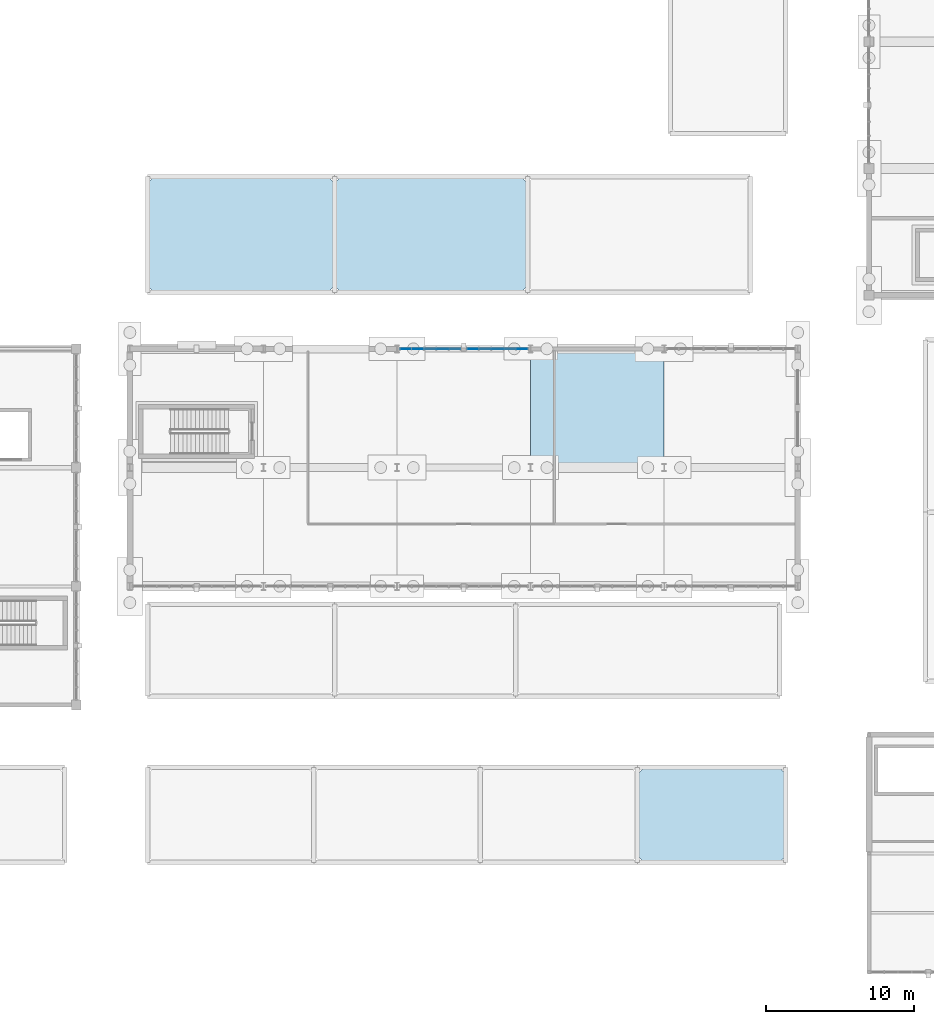
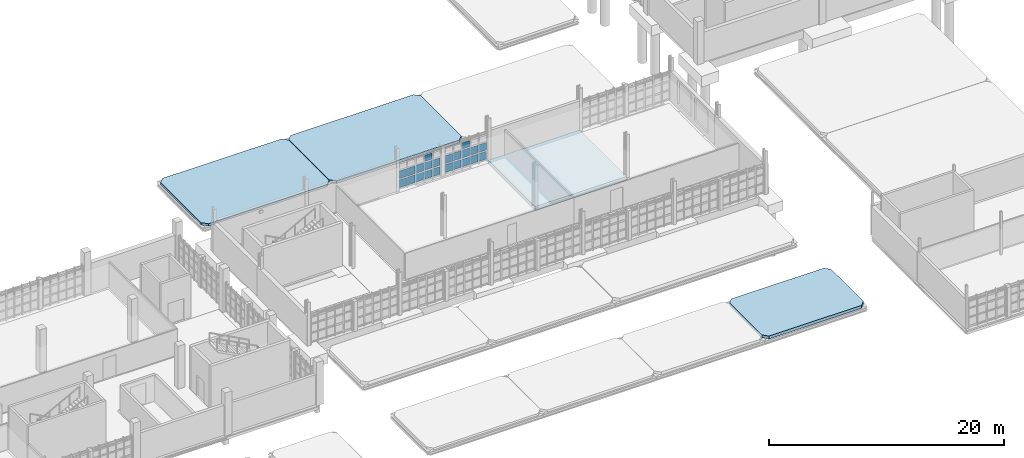
# One storey, part 87 of 125: 22 plates, 4 slabs, 2 elements without a shape of their own.
"""IFC4 building model written with IfcOpenShell, lengths in metres."""

from ifc_helpers import new_model, si_unit, direction, frame, origin, origin_2d, place, context, subcontext, project, spatial, polyline, rectangle, outline, extrude, material, layer, layer_set, type_object, element, aggregate, save


model = new_model("IFC4")

# Units and contexts
model_context = context("Model", 3, precision=1e-05, world=origin(), true_north=direction((0.0, 1.0)))
body_context = subcontext(model_context, "Body", "Model", "MODEL_VIEW")
ifc_project = project(units=[si_unit("LENGTHUNIT", "METRE"), si_unit("AREAUNIT", "SQUARE_METRE"), si_unit("VOLUMEUNIT", "CUBIC_METRE"), si_unit("PLANEANGLEUNIT", "RADIAN"), si_unit("MASSUNIT", "GRAM", prefix="KILO")], contexts=[model_context])

# Site, building, storey
site_placement = place(None, origin())
site = spatial("IfcSite", under=ifc_project, at=site_placement, CompositionType="ELEMENT")
building_placement = place(site_placement, origin())
building = spatial("IfcBuilding", under=site, at=building_placement, Name="Serraforn Aerial Cableway Station", CompositionType="ELEMENT")
storey_placement = place(building_placement, frame((0.0, 0.0, 4.5)))
storey = spatial("IfcBuildingStorey", under=building, at=storey_placement, Name="L01", CompositionType="ELEMENT", Elevation=4.5)

# Curtain wall, plate
ifc_material_1 = material(Name="Anodised bronze unitised curtain wall")
curtain_wall_type_1 = type_object("IfcCurtainWallType", Name="CW-SYS-15", PredefinedType="USERDEFINED", material=ifc_material_1)
curtain_wall_1_placement = place(storey_placement, origin())
curtain_wall_1 = element("IfcCurtainWall", 1, at=curtain_wall_1_placement, inside=storey, type_object=curtain_wall_type_1, Name="Unitised Curtain Wall CW-EL-L01-N3A", ObjectType="UNITISED CURTAIN WALL", PredefinedType="USERDEFINED")
ifc_material_2 = material(Name="Solar-control low-E double glazing", Category="glass")
ifc_layer_1 = layer(ifc_material_2, 0.02587890625)
ifc_layer_set_1 = layer_set([ifc_layer_1], Name="Solar-control low-E double glazing")
plate_type_1 = type_object("IfcPlateType", Name="CW-GLZ-1", PredefinedType="CURTAIN_PANEL", material=ifc_layer_set_1)
plate_1_placement = place(storey_placement, frame((117.305908203125, 42.0, 1.118896484375), z_axis=(0.0, 0.0, 1.0), x_axis=(1.0, 0.0, 0.0)))
plate_1 = element("IfcPlate", 2, at=plate_1_placement, type_object=plate_type_1, Name="Curtain Wall Panel CW-EL-L01-N3A-P5-2", PredefinedType="CURTAIN_PANEL", context=body_context, shape_type="SweptSolid", body=[
    extrude(rectangle(XDim=0.745849609375, YDim=0.02587890625, at=origin_2d()), origin(), (0.0, 0.0, 1.0), 0.8125),
])

# Curtain wall, plates
curtain_wall_type_2 = type_object("IfcCurtainWallType", Name="CW-SYS-16", PredefinedType="USERDEFINED", material=ifc_material_1)
curtain_wall_2_placement = place(storey_placement, origin())
curtain_wall_2 = element("IfcCurtainWall", 3, at=curtain_wall_2_placement, inside=storey, type_object=curtain_wall_type_2, Name="Unitised Curtain Wall CW-EL-L01-N3B", ObjectType="UNITISED CURTAIN WALL", PredefinedType="USERDEFINED")
plate_2_placement = place(storey_placement, frame((113.594482421875, 42.0, 1.118896484375), z_axis=(0.0, 0.0, 1.0), x_axis=(1.0, 0.0, 0.0)))
plate_2 = element("IfcPlate", 4, at=plate_2_placement, type_object=plate_type_1, Name="Curtain Wall Panel CW-EL-L01-N3B-P4-2", PredefinedType="CURTAIN_PANEL", context=body_context, shape_type="SweptSolid", body=[
    extrude(rectangle(XDim=0.7734375, YDim=0.02587890625, at=origin_2d()), origin(), (0.0, 0.0, 1.0), 0.8125),
])
plate_3_placement = place(storey_placement, frame((112.781494140625, 42.0, 0.182861328125), z_axis=(0.0, 0.0, 1.0), x_axis=(1.0, 0.0, 0.0)))
plate_3 = element("IfcPlate", 5, at=plate_3_placement, type_object=plate_type_1, Name="Curtain Wall Panel CW-EL-L01-N3B-P5-1", PredefinedType="CURTAIN_PANEL", context=body_context, shape_type="SweptSolid", body=[
    extrude(rectangle(XDim=0.7509765625, YDim=0.02587890625, at=origin_2d()), origin(), (0.0, 0.0, 1.0), 0.8125),
])
ifc_layer_2 = layer(ifc_material_2, 0.028076171875)
ifc_layer_set_2 = layer_set([ifc_layer_2], Name="Solar-control low-E double glazing")
plate_type_2 = type_object("IfcPlateType", Name="CW-GLZ-2", PredefinedType="CURTAIN_PANEL", material=ifc_layer_set_2)
plate_4_placement = place(storey_placement, frame((112.781494140625, 42.0, 1.12646484375), z_axis=(0.0, 0.0, 1.0), x_axis=(1.0, 0.0, 0.0)))
plate_4 = element("IfcPlate", 6, at=plate_4_placement, type_object=plate_type_2, Name="Curtain Wall Panel CW-EL-L01-N3B-P5-2", PredefinedType="CURTAIN_PANEL", context=body_context, shape_type="SweptSolid", body=[
    extrude(rectangle(XDim=0.7509765625, YDim=0.028076171875, at=origin_2d()), origin(), (0.0, 0.0, 1.0), 0.797607421875),
])

# Plate
ifc_layer_3 = layer(ifc_material_2, 0.031982421875)
ifc_layer_set_3 = layer_set([ifc_layer_3], Name="Solar-control low-E double glazing")
plate_type_3 = type_object("IfcPlateType", Name="CW-GLZ-4", PredefinedType="CURTAIN_PANEL", material=ifc_layer_set_3)
plate_5_placement = place(storey_placement, frame((120.622314453125, 42.0, 0.182861328125), z_axis=(0.0, 0.0, 1.0), x_axis=(1.0, 0.0, 0.0)))
plate_5 = element("IfcPlate", 7, at=plate_5_placement, type_object=plate_type_3, Name="Curtain Wall Panel CW-EL-L01-N3A-P1-1", PredefinedType="CURTAIN_PANEL", context=body_context, shape_type="SweptSolid", body=[
    extrude(rectangle(XDim=0.75341796875, YDim=0.031982421875, at=origin_2d()), origin(), (0.0, 0.0, 1.0), 0.8125),
])

ifc_layer_4 = layer(ifc_material_2, 0.033935546875)
ifc_layer_set_4 = layer_set([ifc_layer_4], Name="Solar-control low-E double glazing")
plate_type_4 = type_object("IfcPlateType", Name="CW-GLZ-5", PredefinedType="CURTAIN_PANEL", material=ifc_layer_set_4)
plate_6_placement = place(storey_placement, frame((120.622314453125, 42.0, 1.12646484375), z_axis=(0.0, 0.0, 1.0), x_axis=(1.0, 0.0, 0.0)))
plate_6 = element("IfcPlate", 8, at=plate_6_placement, type_object=plate_type_4, Name="Curtain Wall Panel CW-EL-L01-N3A-P1-2", PredefinedType="CURTAIN_PANEL", context=body_context, shape_type="SweptSolid", body=[
    extrude(rectangle(XDim=0.75341796875, YDim=0.033935546875, at=origin_2d()), origin(), (0.0, 0.0, 1.0), 0.797607421875),
])

plate_7_placement = place(storey_placement, frame((119.8017578125, 42.0, 0.1904296875), z_axis=(0.0, 0.0, 1.0), x_axis=(1.0, 0.0, 0.0)))
plate_7 = element("IfcPlate", 9, at=plate_7_placement, type_object=plate_type_4, Name="Curtain Wall Panel CW-EL-L01-N3A-P2-1", PredefinedType="CURTAIN_PANEL", context=body_context, shape_type="SweptSolid", body=[
    extrude(rectangle(XDim=0.77587890625, YDim=0.033935546875, at=origin_2d()), origin(), (0.0, 0.0, 1.0), 0.797607421875),
])

plate_8_placement = place(storey_placement, frame((116.089111328125, 42.0, 0.1904296875), z_axis=(0.0, 0.0, 1.0), x_axis=(1.0, 0.0, 0.0)))
plate_8 = element("IfcPlate", 10, at=plate_8_placement, type_object=plate_type_4, Name="Curtain Wall Panel CW-EL-L01-N3B-P1-1", PredefinedType="CURTAIN_PANEL", context=body_context, shape_type="SweptSolid", body=[
    extrude(rectangle(XDim=0.745849609375, YDim=0.033935546875, at=origin_2d()), origin(), (0.0, 0.0, 1.0), 0.797607421875),
])

ifc_layer_5 = layer(ifc_material_2, 0.035888671875)
ifc_layer_set_5 = layer_set([ifc_layer_5], Name="Solar-control low-E double glazing")
plate_type_5 = type_object("IfcPlateType", Name="CW-GLZ-6", PredefinedType="CURTAIN_PANEL", material=ifc_layer_set_5)
plate_9_placement = place(storey_placement, frame((119.8017578125, 42.0, 1.1337890625), z_axis=(0.0, 0.0, 1.0), x_axis=(1.0, 0.0, 0.0)))
plate_9 = element("IfcPlate", 11, at=plate_9_placement, type_object=plate_type_5, Name="Curtain Wall Panel CW-EL-L01-N3A-P2-2", PredefinedType="CURTAIN_PANEL", context=body_context, shape_type="SweptSolid", body=[
    extrude(rectangle(XDim=0.77587890625, YDim=0.035888671875, at=origin_2d()), origin(), (0.0, 0.0, 1.0), 0.782470703125),
])

plate_10_placement = place(storey_placement, frame((118.96728515625, 42.0, 0.19775390625), z_axis=(0.0, 0.0, 1.0), x_axis=(1.0, 0.0, 0.0)))
plate_10 = element("IfcPlate", 12, at=plate_10_placement, type_object=plate_type_5, Name="Curtain Wall Panel CW-EL-L01-N3A-P3-1", PredefinedType="CURTAIN_PANEL", context=body_context, shape_type="SweptSolid", body=[
    extrude(rectangle(XDim=0.77099609375, YDim=0.035888671875, at=origin_2d()), origin(), (0.0, 0.0, 1.0), 0.782470703125),
])

plate_11_placement = place(storey_placement, frame((116.089111328125, 42.0, 1.1337890625), z_axis=(0.0, 0.0, 1.0), x_axis=(1.0, 0.0, 0.0)))
plate_11 = element("IfcPlate", 13, at=plate_11_placement, type_object=plate_type_5, Name="Curtain Wall Panel CW-EL-L01-N3B-P1-2", PredefinedType="CURTAIN_PANEL", context=body_context, shape_type="SweptSolid", body=[
    extrude(rectangle(XDim=0.745849609375, YDim=0.035888671875, at=origin_2d()), origin(), (0.0, 0.0, 1.0), 0.782470703125),
])

plate_12_placement = place(storey_placement, frame((115.26953125, 42.0, 0.19775390625), z_axis=(0.0, 0.0, 1.0), x_axis=(1.0, 0.0, 0.0)))
plate_12 = element("IfcPlate", 14, at=plate_12_placement, type_object=plate_type_5, Name="Curtain Wall Panel CW-EL-L01-N3B-P2-1", PredefinedType="CURTAIN_PANEL", context=body_context, shape_type="SweptSolid", body=[
    extrude(rectangle(XDim=0.77099609375, YDim=0.035888671875, at=origin_2d()), origin(), (0.0, 0.0, 1.0), 0.782470703125),
])

ifc_layer_6 = layer(ifc_material_2, 0.029052734375)
ifc_layer_set_6 = layer_set([ifc_layer_6], Name="Solar-control low-E double glazing")
plate_type_6 = type_object("IfcPlateType", Name="CW-GLZ-7", PredefinedType="CURTAIN_PANEL", material=ifc_layer_set_6)
plate_13_placement = place(storey_placement, frame((118.96728515625, 42.0, 1.14111328125), z_axis=(0.0, 0.0, 1.0), x_axis=(1.0, 0.0, 0.0)))
plate_13 = element("IfcPlate", 15, at=plate_13_placement, type_object=plate_type_6, Name="Curtain Wall Panel CW-EL-L01-N3A-P3-2", PredefinedType="CURTAIN_PANEL", context=body_context, shape_type="SweptSolid", body=[
    extrude(rectangle(XDim=0.77099609375, YDim=0.029052734375, at=origin_2d()), origin(), (0.0, 0.0, 1.0), 0.802490234375),
])

plate_14_placement = place(storey_placement, frame((118.1328125, 42.0, 0.20556640625), z_axis=(0.0, 0.0, 1.0), x_axis=(1.0, 0.0, 0.0)))
plate_14 = element("IfcPlate", 16, at=plate_14_placement, type_object=plate_type_6, Name="Curtain Wall Panel CW-EL-L01-N3A-P4-1", PredefinedType="CURTAIN_PANEL", context=body_context, shape_type="SweptSolid", body=[
    extrude(rectangle(XDim=0.765869140625, YDim=0.029052734375, at=origin_2d()), origin(), (0.0, 0.0, 1.0), 0.802490234375),
])

plate_15_placement = place(storey_placement, frame((115.26953125, 42.0, 1.14111328125), z_axis=(0.0, 0.0, 1.0), x_axis=(1.0, 0.0, 0.0)))
plate_15 = element("IfcPlate", 17, at=plate_15_placement, type_object=plate_type_6, Name="Curtain Wall Panel CW-EL-L01-N3B-P2-2", PredefinedType="CURTAIN_PANEL", context=body_context, shape_type="SweptSolid", body=[
    extrude(rectangle(XDim=0.77099609375, YDim=0.029052734375, at=origin_2d()), origin(), (0.0, 0.0, 1.0), 0.802490234375),
])

plate_16_placement = place(storey_placement, frame((114.435302734375, 42.0, 0.20556640625), z_axis=(0.0, 0.0, 1.0), x_axis=(1.0, 0.0, 0.0)))
plate_16 = element("IfcPlate", 18, at=plate_16_placement, type_object=plate_type_6, Name="Curtain Wall Panel CW-EL-L01-N3B-P3-1", PredefinedType="CURTAIN_PANEL", context=body_context, shape_type="SweptSolid", body=[
    extrude(rectangle(XDim=0.765869140625, YDim=0.029052734375, at=origin_2d()), origin(), (0.0, 0.0, 1.0), 0.802490234375),
])

ifc_layer_7 = layer(ifc_material_2, 0.031005859375)
ifc_layer_set_7 = layer_set([ifc_layer_7], Name="Solar-control low-E double glazing")
plate_type_7 = type_object("IfcPlateType", Name="CW-GLZ-8", PredefinedType="CURTAIN_PANEL", material=ifc_layer_set_7)
plate_17_placement = place(storey_placement, frame((118.96728515625, 42.0, 2.0498046875), z_axis=(0.0, 0.0, 1.0), x_axis=(1.0, 0.0, 0.0)))
plate_17 = element("IfcPlate", 19, at=plate_17_placement, type_object=plate_type_7, Name="Curtain Wall Panel CW-EL-L01-N3A-P3-3", PredefinedType="CURTAIN_PANEL", context=body_context, shape_type="SweptSolid", body=[
    extrude(rectangle(XDim=0.77099609375, YDim=0.031005859375, at=origin_2d()), origin(), (0.0, 0.0, 1.0), 0.6376953125),
])

plate_18_placement = place(storey_placement, frame((118.1328125, 42.0, 1.11376953125), z_axis=(0.0, 0.0, 1.0), x_axis=(1.0, 0.0, 0.0)))
plate_18 = element("IfcPlate", 20, at=plate_18_placement, type_object=plate_type_7, Name="Curtain Wall Panel CW-EL-L01-N3A-P4-2", PredefinedType="CURTAIN_PANEL", context=body_context, shape_type="SweptSolid", body=[
    extrude(rectangle(XDim=0.765869140625, YDim=0.031005859375, at=origin_2d()), origin(), (0.0, 0.0, 1.0), 0.824951171875),
])

plate_19_placement = place(storey_placement, frame((117.305908203125, 42.0, 0.177734375), z_axis=(0.0, 0.0, 1.0), x_axis=(1.0, 0.0, 0.0)))
plate_19 = element("IfcPlate", 21, at=plate_19_placement, type_object=plate_type_7, Name="Curtain Wall Panel CW-EL-L01-N3A-P5-1", PredefinedType="CURTAIN_PANEL", context=body_context, shape_type="SweptSolid", body=[
    extrude(rectangle(XDim=0.745849609375, YDim=0.031005859375, at=origin_2d()), origin(), (0.0, 0.0, 1.0), 0.824951171875),
])

aggregate(curtain_wall_1, [plate_5, plate_6, plate_7, plate_9, plate_10, plate_13, plate_17, plate_14, plate_18, plate_19, plate_1])

plate_20_placement = place(storey_placement, frame((115.26953125, 42.0, 2.0498046875), z_axis=(0.0, 0.0, 1.0), x_axis=(1.0, 0.0, 0.0)))
plate_20 = element("IfcPlate", 22, at=plate_20_placement, type_object=plate_type_7, Name="Curtain Wall Panel CW-EL-L01-N3B-P2-3", PredefinedType="CURTAIN_PANEL", context=body_context, shape_type="SweptSolid", body=[
    extrude(rectangle(XDim=0.77099609375, YDim=0.031005859375, at=origin_2d()), origin(), (0.0, 0.0, 1.0), 0.6376953125),
])

plate_21_placement = place(storey_placement, frame((114.435302734375, 42.0, 1.11376953125), z_axis=(0.0, 0.0, 1.0), x_axis=(1.0, 0.0, 0.0)))
plate_21 = element("IfcPlate", 23, at=plate_21_placement, type_object=plate_type_7, Name="Curtain Wall Panel CW-EL-L01-N3B-P3-2", PredefinedType="CURTAIN_PANEL", context=body_context, shape_type="SweptSolid", body=[
    extrude(rectangle(XDim=0.765869140625, YDim=0.031005859375, at=origin_2d()), origin(), (0.0, 0.0, 1.0), 0.824951171875),
])

plate_22_placement = place(storey_placement, frame((113.594482421875, 42.0, 0.177734375), z_axis=(0.0, 0.0, 1.0), x_axis=(1.0, 0.0, 0.0)))
plate_22 = element("IfcPlate", 24, at=plate_22_placement, type_object=plate_type_7, Name="Curtain Wall Panel CW-EL-L01-N3B-P4-1", PredefinedType="CURTAIN_PANEL", context=body_context, shape_type="SweptSolid", body=[
    extrude(rectangle(XDim=0.7734375, YDim=0.031005859375, at=origin_2d()), origin(), (0.0, 0.0, 1.0), 0.824951171875),
])

aggregate(curtain_wall_2, [plate_8, plate_11, plate_12, plate_15, plate_20, plate_16, plate_21, plate_22, plate_2, plate_3, plate_4])

# Slabs
ifc_material_3 = material(Name="Concrete C35/45", Category="concrete")
ifc_layer_8 = layer(ifc_material_3, 0.304931640625)
ifc_layer_set_8 = layer_set([ifc_layer_8], Name="Concrete C35/45")
slab_type_1 = type_object("IfcSlabType", Name="SLB-ARC-305", PredefinedType="ROOF", material=ifc_layer_set_8)
slab_1_placement = place(storey_placement, frame((0.0, 0.0, -0.304931640625)))
element("IfcSlab", 25, at=slab_1_placement, inside=storey, type_object=slab_type_1, Name="Colonnade Canopy Roof S-4-1", PredefinedType="ROOF", context=body_context, shape_type="SweptSolid", body=[
    extrude(outline(polyline([(128.85009765625, 7.39990234375), (137.949951171875, 7.39990234375), (138.39990234375, 7.85009765625), (138.39990234375, 13.35009765625), (137.949951171875, 13.800048828125), (128.85009765625, 13.800048828125), (128.39990234375, 13.35009765625), (128.39990234375, 7.85009765625), (128.85009765625, 7.39990234375)])), origin(), (0.0, 0.0, 1.0), 0.304931640625),
])
slab_2_placement = place(storey_placement, frame((0.0, 0.0, -0.304931640625)))
element("IfcSlab", 26, at=slab_2_placement, inside=storey, type_object=slab_type_1, Name="Colonnade Canopy Roof NP-2-1", PredefinedType="ROOF", context=body_context, shape_type="SweptSolid", body=[
    extrude(outline(polyline([(108.449951171875, 45.800048828125), (120.550048828125, 45.800048828125), (121.0, 46.25), (121.0, 53.14990234375), (120.550048828125, 53.60009765625), (108.449951171875, 53.60009765625), (108.0, 53.14990234375), (108.0, 46.25), (108.449951171875, 45.800048828125)])), origin(), (0.0, 0.0, 1.0), 0.304931640625),
])
ifc_layer_9 = layer(ifc_material_3, 0.419921875)
ifc_layer_set_9 = layer_set([ifc_layer_9], Name="Concrete C35/45")
slab_type_2 = type_object("IfcSlabType", Name="SLB-BASE-420", PredefinedType="BASESLAB", material=ifc_layer_set_9)
slab_3_placement = place(storey_placement, frame((0.0, 0.0, -0.419921875)))
element("IfcSlab", 27, at=slab_3_placement, inside=storey, type_object=slab_type_2, Name="Floor Slab EL-L01-4-2", PredefinedType="BASESLAB", context=body_context, shape_type="SweptSolid", body=[
    extrude(outline(polyline([(121.199951171875, 34.0), (130.199951171875, 34.0), (130.199951171875, 42.0), (121.199951171875, 42.0), (121.199951171875, 34.0)])), origin(), (0.0, 0.0, 1.0), 0.419921875),
])
ifc_layer_10 = layer(ifc_material_3, 0.25)
ifc_layer_set_10 = layer_set([ifc_layer_10], Name="Concrete C35/45")
slab_type_3 = type_object("IfcSlabType", Name="SLB-ROOF-250", PredefinedType="ROOF", material=ifc_layer_set_10)
slab_4_placement = place(storey_placement, frame((0.0, 0.0, -0.304931640625)))
element("IfcSlab", 28, at=slab_4_placement, inside=storey, type_object=slab_type_3, Name="Colonnade Canopy Roof NP-1-1", PredefinedType="ROOF", context=body_context, shape_type="SweptSolid", body=[
    extrude(outline(polyline([(95.85009765625, 45.800048828125), (107.550048828125, 45.800048828125), (108.0, 46.25), (108.0, 53.14990234375), (107.550048828125, 53.60009765625), (95.85009765625, 53.60009765625), (95.39990234375, 53.14990234375), (95.39990234375, 46.25), (95.85009765625, 45.800048828125)])), origin(), (0.0, 0.0, 1.0), 0.25),
])

save(model, "model.ifc")
